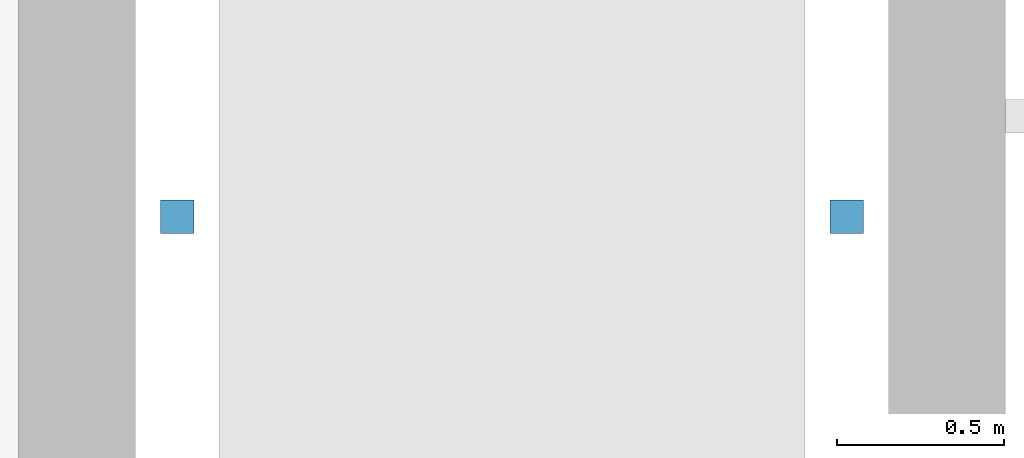
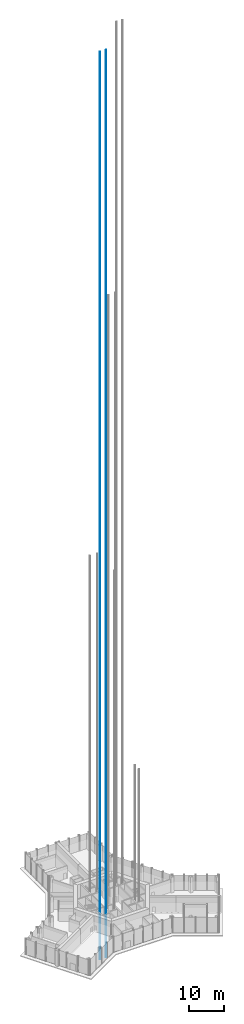
# One storey, part 14 of 18: 1 discrete accessory.
"""IFC4 building model written with IfcOpenShell, lengths in metres."""

from ifc_helpers import new_model, si_unit, direction, frame, origin, origin_2d, place, context, subcontext, project, spatial, rectangle, extrude, material, type_object, element, save


model = new_model("IFC4")

# Units and contexts
model_context = context("Model", 3, precision=1e-05, world=origin(), true_north=direction((0.0, 1.0)))
body_context = subcontext(model_context, "Body", "Model", "MODEL_VIEW")
ifc_project = project(units=[si_unit("LENGTHUNIT", "METRE"), si_unit("AREAUNIT", "SQUARE_METRE"), si_unit("VOLUMEUNIT", "CUBIC_METRE"), si_unit("PLANEANGLEUNIT", "RADIAN"), si_unit("MASSUNIT", "GRAM", prefix="KILO")], contexts=[model_context])

# Site, building, storey
site_placement = place(None, origin())
site = spatial("IfcSite", under=ifc_project, at=site_placement, CompositionType="ELEMENT")
building_placement = place(site_placement, origin())
building = spatial("IfcBuilding", under=site, at=building_placement, Name="Kasaneha Research Tower", CompositionType="ELEMENT")
storey_placement = place(building_placement, origin())
storey = spatial("IfcBuildingStorey", under=building, at=storey_placement, Name="L01", CompositionType="ELEMENT", Elevation=0.0)

# Discrete accessory
ifc_material = material(Name="Steel SN400B", Category="steel")
discrete_accessory_type = type_object("IfcDiscreteAccessoryType", Name="Lift guide rail 100x100", PredefinedType="USERDEFINED", material=ifc_material)
discrete_accessory_placement = place(storey_placement, origin())
element("IfcDiscreteAccessory", 1, at=discrete_accessory_placement, inside=storey, type_object=discrete_accessory_type, Name="Lift FL2 guide rails", ObjectType="GUIDE RAIL", PredefinedType="USERDEFINED", context=body_context, shape_type="SweptSolid", body=[
    extrude(rectangle(XDim=0.10009765625, YDim=0.10009765625, at=origin_2d()), frame((-6.800048828125, -5.300048828125, -11.050048828125)), (0.0, 0.0, 1.0), 318.25),
    extrude(rectangle(XDim=0.10009765625, YDim=0.10009765625, at=origin_2d()), frame((-4.800048828125, -5.300048828125, -11.050048828125)), (0.0, 0.0, 1.0), 318.25),
])

save(model, "model.ifc")
